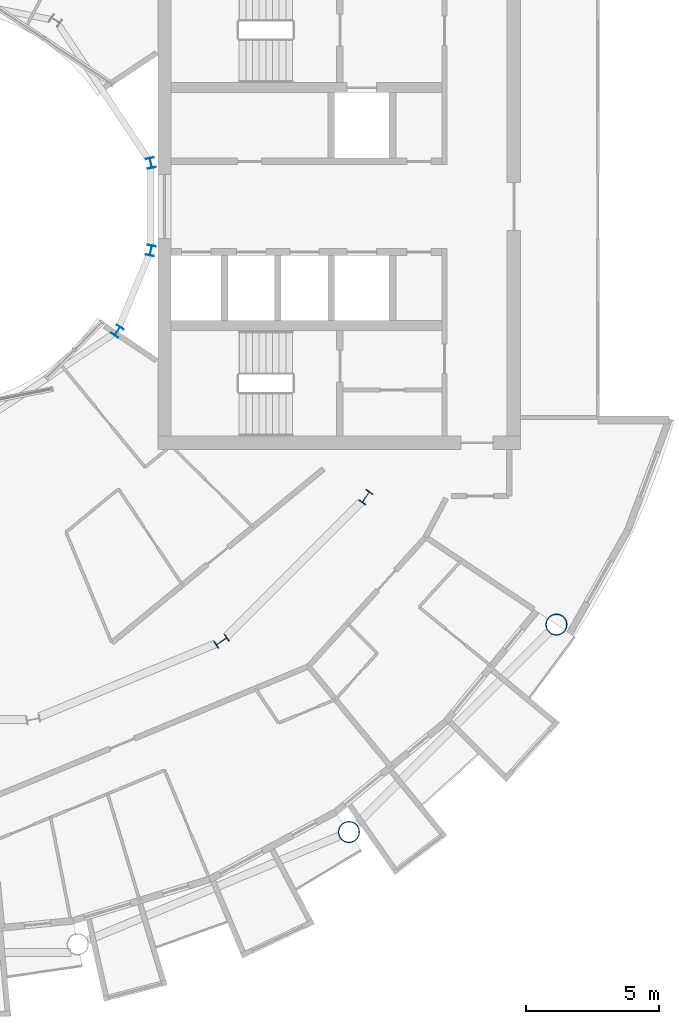
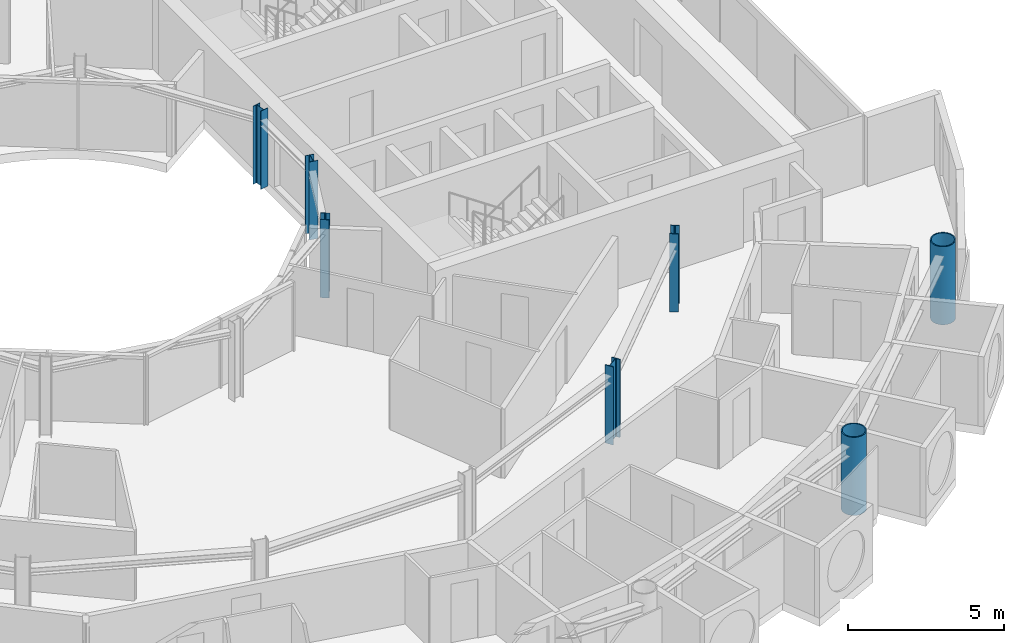
# One storey, part 2 of 27: 7 columns.
"""IFC4 building model written with IfcOpenShell, lengths in metres."""

from ifc_helpers import new_model, si_unit, direction, frame, origin, origin_2d, place, context, subcontext, project, spatial, hollow_circle, i_section, extrude, material, material_profile, profile_set, type_object, element, save


model = new_model("IFC4")

# Units and contexts
model_context = context("Model", 3, precision=1e-05, world=origin(), true_north=direction((0.0, 1.0)))
body_context = subcontext(model_context, "Body", "Model", "MODEL_VIEW")
ifc_project = project(units=[si_unit("LENGTHUNIT", "METRE"), si_unit("AREAUNIT", "SQUARE_METRE"), si_unit("VOLUMEUNIT", "CUBIC_METRE"), si_unit("PLANEANGLEUNIT", "RADIAN"), si_unit("MASSUNIT", "GRAM", prefix="KILO")], contexts=[model_context])

# Site, building, storey
site_placement = place(None, origin())
site = spatial("IfcSite", under=ifc_project, at=site_placement, CompositionType="ELEMENT")
building_placement = place(site_placement, origin())
building = spatial("IfcBuilding", under=site, at=building_placement, Name="Maasbend Ring Residences", CompositionType="ELEMENT")
storey_placement = place(building_placement, frame((0.0, 0.0, 145.199951171875)))
storey = spatial("IfcBuildingStorey", under=building, at=storey_placement, Name="L41", CompositionType="ELEMENT", Elevation=145.199951171875)

# Columns
ifc_material_1 = material(Name="Composite concrete-filled steel tube S460NH / C80/95", Category="concrete")
ifc_material_profile_1 = material_profile(ifc_material_1, hollow_circle(Radius=0.406494140625, WallThickness=0.0400390625, at=origin_2d()), Name="Composite tube column CHS 813x40")
ifc_profile_set_1 = profile_set([ifc_material_profile_1], Name="Composite concrete-filled steel tube S460NH / C80/95")
column_type_1 = type_object("IfcColumnType", Name="Composite tube column CHS 813x40", PredefinedType="COLUMN", material=ifc_profile_set_1)
for number, where, z_axis, x_axis, name in (
    (1, (15.6669921875, -23.447509765625, 0.0), (0.0, 0.0, 1.0), (1.0, 0.0, 0.0), "Outer column R14"),
    (2, (23.447509765625, -15.6669921875, 0.0), (0.0, 0.0, 1.0), (1.0, 0.0, 0.0), "Outer column R15"),
):
    element("IfcColumn", number, at=place(storey_placement, frame(where, z_axis=z_axis, x_axis=x_axis)), inside=storey, type_object=column_type_1, Name=name, PredefinedType="COLUMN", context=body_context, shape_type="SweptSolid", body=[
        extrude(hollow_circle(Radius=0.406494140625, WallThickness=0.0400390625, at=origin_2d()), origin(), (0.0, 0.0, 1.0), 3.050048828125),
    ])
ifc_material_2 = material(Name="Steel S355J2", Category="steel")
ifc_material_profile_2 = material_profile(ifc_material_2, i_section(OverallWidth=0.300048828125, OverallDepth=0.389892578125, WebThickness=0.010986328125, FlangeThickness=0.01904296875, FilletRadius=0.027099609375, at=origin_2d()), Name="HEA 400")
ifc_profile_set_2 = profile_set([ifc_material_profile_2], Name="Steel S355J2")
column_type_2 = type_object("IfcColumnType", Name="Steel column HEA 400", PredefinedType="COLUMN", material=ifc_profile_set_2)
for number, where, z_axis, x_axis, name in (
    (3, (8.238525390625, 1.638916015625, 0.0), (0.0, 0.0, 1.0), (0.980785280403, 0.195090322016, 0.0), "Well ring column R1"),
    (4, (6.984375, -4.666748046875, 0.0), (0.0, 0.0, 1.0), (0.831469612303, -0.55557023302, 0.0), "Well ring column R15"),
    (5, (8.238525390625, -1.638916015625, 0.0), (0.0, 0.0, 1.0), (0.980785280403, -0.195090322016, 0.0), "Well ring column R16"),
):
    element("IfcColumn", number, at=place(storey_placement, frame(where, z_axis=z_axis, x_axis=x_axis)), inside=storey, type_object=column_type_2, Name=name, PredefinedType="COLUMN", context=body_context, shape_type="SweptSolid", body=[
        extrude(i_section(OverallWidth=0.300048828125, OverallDepth=0.389892578125, WebThickness=0.010986328125, FlangeThickness=0.01904296875, FilletRadius=0.027099609375, at=origin_2d()), origin(), (0.0, 0.0, 1.0), 3.050048828125),
    ])
ifc_material_3 = material(Name="Steel S355J2", Category="steel")
ifc_material_profile_3 = material_profile(ifc_material_3, i_section(OverallWidth=0.300048828125, OverallDepth=0.5, WebThickness=0.014404296875, FlangeThickness=0.028076171875, FilletRadius=0.027099609375, at=origin_2d()), Name="HEB 500")
ifc_profile_set_3 = profile_set([ifc_material_profile_3], Name="Steel S355J2")
column_type_3 = type_object("IfcColumnType", Name="Steel column HEB 500", PredefinedType="COLUMN", material=ifc_profile_set_3)
for number, where, z_axis, x_axis, name in (
    (6, (10.88916015625, -16.296875, 0.0), (0.0, 0.0, 1.0), (0.55557023302, -0.831469612303, 0.0), "Corridor ring column R14"),
    (7, (16.296875, -10.88916015625, 0.0), (0.0, 0.0, 1.0), (0.831469612303, -0.55557023302, 0.0), "Corridor ring column R15"),
):
    element("IfcColumn", number, at=place(storey_placement, frame(where, z_axis=z_axis, x_axis=x_axis)), inside=storey, type_object=column_type_3, Name=name, PredefinedType="COLUMN", context=body_context, shape_type="SweptSolid", body=[
        extrude(i_section(OverallWidth=0.300048828125, OverallDepth=0.5, WebThickness=0.014404296875, FlangeThickness=0.028076171875, FilletRadius=0.027099609375, at=origin_2d()), origin(), (0.0, 0.0, 1.0), 3.050048828125),
    ])

save(model, "model.ifc")
